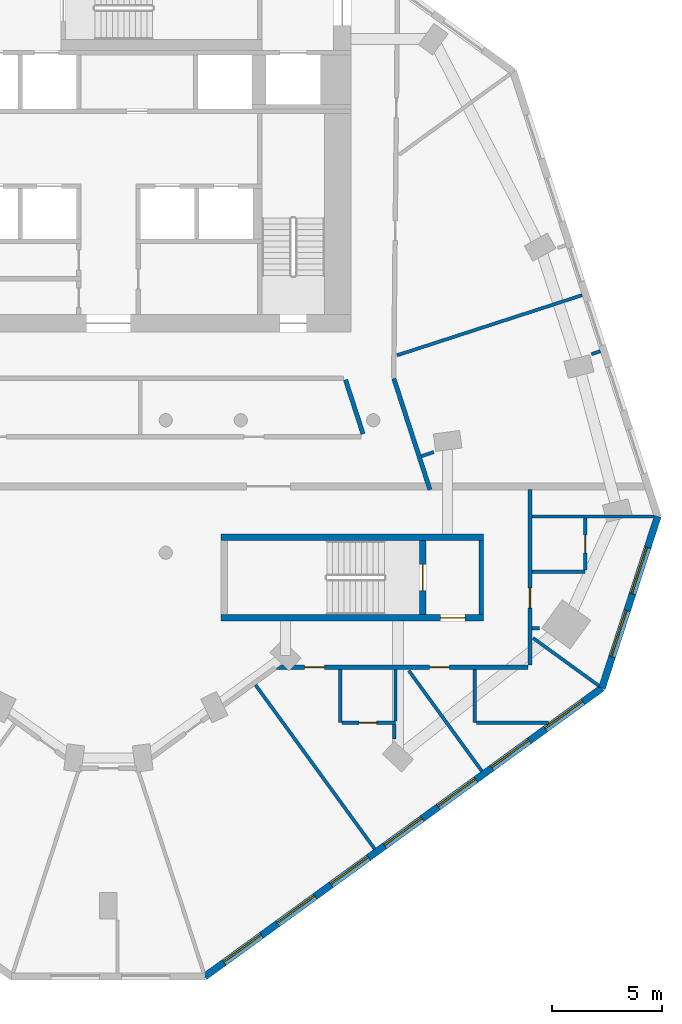
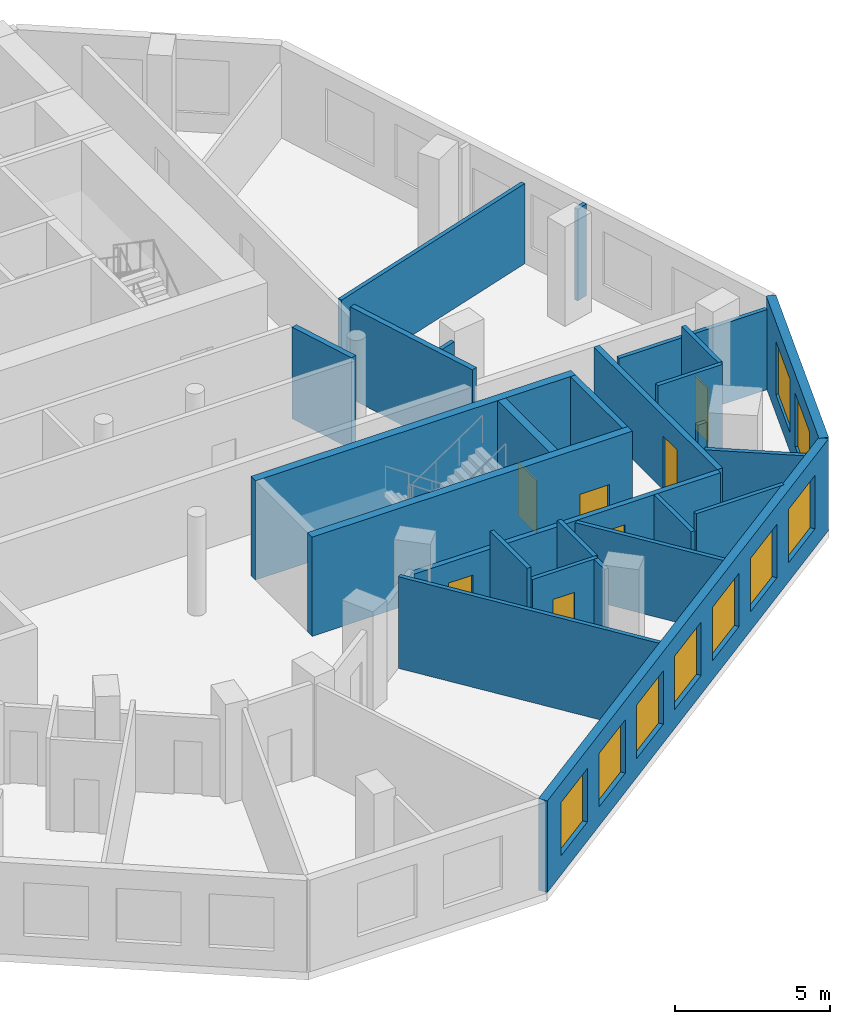
# One storey, part 4 of 9: 26 walls, 9 windows, 7 doors, 16 openings.
"""IFC4 building model written with IfcOpenShell, lengths in metres."""

from ifc_helpers import new_model, si_unit, direction, frame, frame_2d, origin, place, context, subcontext, project, spatial, rectangle, extrude, material, layer, layer_set, type_object, element, fill, save


model = new_model("IFC4")

# Units and contexts
model_context = context("Model", 3, precision=1e-05, world=origin(), true_north=direction((0.0, 1.0)))
body_context = subcontext(model_context, "Body", "Model", "MODEL_VIEW")
ifc_project = project(units=[si_unit("LENGTHUNIT", "METRE"), si_unit("AREAUNIT", "SQUARE_METRE"), si_unit("VOLUMEUNIT", "CUBIC_METRE"), si_unit("PLANEANGLEUNIT", "RADIAN"), si_unit("MASSUNIT", "GRAM", prefix="KILO")], contexts=[model_context])

# Site, building, storey
site_placement = place(None, origin())
site = spatial("IfcSite", under=ifc_project, at=site_placement, CompositionType="ELEMENT")
building_placement = place(site_placement, origin())
building = spatial("IfcBuilding", under=site, at=building_placement, Name="White Candle Pilgrim Tower", CompositionType="ELEMENT")
storey_placement = place(building_placement, frame((0.0, 0.0, 200.39990234375)))
storey = spatial("IfcBuildingStorey", under=building, at=storey_placement, Name="L46", CompositionType="ELEMENT", Elevation=200.39990234375)

# Walls
ifc_material_1 = material(Name="Concrete C50/60", Category="concrete")
ifc_layer_1 = layer(ifc_material_1, 0.199951171875)
ifc_layer_set_1 = layer_set([ifc_layer_1], Name="Core wall 200 mm Concrete C50/60")
wall_type_1 = type_object("IfcWallType", Name="Core wall 200 mm Concrete C50/60", PredefinedType="SHEAR", material=ifc_layer_set_1)
wall_1_placement = place(storey_placement, frame((86.89990234375, 58.199951171875, 0.0), z_axis=(0.0, 0.0, 1.0), x_axis=(0.0, 1.0, 0.0)))
element("IfcWall", 1, at=wall_1_placement, inside=storey, type_object=wall_type_1, Name="WL-L46-C08", PredefinedType="SHEAR", context=body_context, shape_type="SweptSolid", body=[
    extrude(rectangle(XDim=3.35009765625, YDim=0.199951171875, at=frame_2d((1.675048828125, 0.0))), origin(), (0.0, 0.0, 1.0), 3.900146484375),
])
ifc_material_2 = material(Name="Gypsum board on steel studs", Category="steel")
ifc_layer_2 = layer(ifc_material_2, 0.199951171875)
ifc_layer_set_2 = layer_set([ifc_layer_2], Name="Corridor wall 200 mm EI 45")
wall_type_2 = type_object("IfcWallType", Name="Corridor wall 200 mm EI 45", PredefinedType="PARTITIONING", material=ifc_layer_set_2)
wall_2_placement = place(storey_placement, frame((82.93310546875, 68.884521484375, 0.0), z_axis=(0.0, 0.0, 1.0), x_axis=(0.309009941901, -0.951058807754, 0.0)))
element("IfcWall", 2, at=wall_2_placement, inside=storey, type_object=wall_type_2, Name="WL-L46-P005", PredefinedType="PARTITIONING", context=body_context, shape_type="SweptSolid", body=[
    extrude(rectangle(XDim=5.29345703125, YDim=0.199951171875, at=frame_2d((2.646728515625, 0.0))), origin(), (0.0, 0.0, 1.0), 3.60009765625),
])

# Wall, opening, door
wall_3_placement = place(storey_placement, frame((89.10009765625, 63.85009765625, 0.0), z_axis=(0.0, 0.0, 1.0), x_axis=(0.0, -1.0, 0.0)))
wall_3 = element("IfcWall", 3, at=wall_3_placement, inside=storey, type_object=wall_type_2, Name="WL-L46-P006", PredefinedType="PARTITIONING", context=body_context, shape_type="SweptSolid", body=[
    extrude(rectangle(XDim=7.9501953125, YDim=0.199951171875, at=frame_2d((3.97509765625, 0.0))), origin(), (0.0, 0.0, 1.0), 2.900146484375),
])
opening_1_placement = place(wall_3_placement, frame((4.461181640625, 0.0, 0.0)))
opening_1 = element("IfcOpeningElement", 4, at=opening_1_placement, cuts=wall_3, Name="Opening T14-114", PredefinedType="OPENING", context=body_context, shape_type="SweptSolid", body=[
    extrude(rectangle(XDim=0.89990234375, YDim=2.10009765625, at=frame_2d((0.449951171875, 1.050048828125))), frame((0.0, 0.10986328125, 0.0), z_axis=(0.0, -1.0, 0.0), x_axis=(1.0, 0.0, 0.0)), (0.0, 0.0, 1.0), 0.219970703125),
])
ifc_material_3 = material(Name="Steel door leaf", Category="steel")
door_type_1 = type_object("IfcDoorType", Name="Fire door 900 x 2100 EI 30", OperationType="NOTDEFINED", PredefinedType="DOOR", material=ifc_material_3)
door_1_placement = place(opening_1_placement, origin())
door_1 = element("IfcDoor", 5, at=door_1_placement, inside=storey, type_object=door_type_1, Name="Door T14-114", OperationType="SINGLE_SWING_RIGHT", OverallHeight=2.10009765625, OverallWidth=0.89990234375, PredefinedType="DOOR", context=body_context, shape_type="SweptSolid", body=[
    extrude(rectangle(XDim=0.89990234375, YDim=2.10009765625, at=frame_2d((0.449951171875, 1.050048828125))), frame((0.0, 0.02490234375, 0.0), z_axis=(0.0, -1.0, 0.0), x_axis=(1.0, 0.0, 0.0)), (0.0, 0.0, 1.0), 0.050048828125),
])
fill(opening_1, door_1)

# Wall, openings, doors
wall_4_placement = place(storey_placement, frame((89.0, 55.800048828125, 0.0), z_axis=(0.0, 0.0, 1.0), x_axis=(-1.0, 0.0, 0.0)))
wall_4 = element("IfcWall", 6, at=wall_4_placement, inside=storey, type_object=wall_type_2, Name="WL-L46-P007", PredefinedType="PARTITIONING", context=body_context, shape_type="SweptSolid", body=[
    extrude(rectangle(XDim=11.382080078125, YDim=0.199951171875, at=frame_2d((5.69091796875, 0.0))), origin(), (0.0, 0.0, 1.0), 2.900146484375),
])
opening_2_placement = place(wall_4_placement, frame((9.20361328125, 0.0, 0.0)))
opening_2 = element("IfcOpeningElement", 7, at=opening_2_placement, cuts=wall_4, Name="Opening T14-111", PredefinedType="OPENING", context=body_context, shape_type="SweptSolid", body=[
    extrude(rectangle(XDim=0.89990234375, YDim=2.10009765625, at=frame_2d((0.449951171875, 1.050048828125))), frame((0.0, 0.10986328125, 0.0), z_axis=(0.0, -1.0, 0.0), x_axis=(1.0, 0.0, 0.0)), (0.0, 0.0, 1.0), 0.219970703125),
])
opening_3_placement = place(wall_4_placement, frame((3.54638671875, 0.0, 0.0)))
opening_3 = element("IfcOpeningElement", 8, at=opening_3_placement, cuts=wall_4, Name="Opening T14-112", PredefinedType="OPENING", context=body_context, shape_type="SweptSolid", body=[
    extrude(rectangle(XDim=0.89990234375, YDim=2.10009765625, at=frame_2d((0.449951171875, 1.050048828125))), frame((0.0, 0.10986328125, 0.0), z_axis=(0.0, -1.0, 0.0), x_axis=(1.0, 0.0, 0.0)), (0.0, 0.0, 1.0), 0.219970703125),
])
door_2_placement = place(opening_2_placement, origin())
door_2 = element("IfcDoor", 9, at=door_2_placement, inside=storey, type_object=door_type_1, Name="Door T14-111", OperationType="SINGLE_SWING_LEFT", OverallHeight=2.10009765625, OverallWidth=0.89990234375, PredefinedType="DOOR", context=body_context, shape_type="SweptSolid", body=[
    extrude(rectangle(XDim=0.89990234375, YDim=2.10009765625, at=frame_2d((0.449951171875, 1.050048828125))), frame((0.0, 0.02490234375, 0.0), z_axis=(0.0, -1.0, 0.0), x_axis=(1.0, 0.0, 0.0)), (0.0, 0.0, 1.0), 0.050048828125),
])
fill(opening_2, door_2)
door_3_placement = place(opening_3_placement, origin())
door_3 = element("IfcDoor", 10, at=door_3_placement, inside=storey, type_object=door_type_1, Name="Door T14-112", OperationType="SINGLE_SWING_RIGHT", OverallHeight=2.10009765625, OverallWidth=0.89990234375, PredefinedType="DOOR", context=body_context, shape_type="SweptSolid", body=[
    extrude(rectangle(XDim=0.89990234375, YDim=2.10009765625, at=frame_2d((0.449951171875, 1.050048828125))), frame((0.0, 0.02490234375, 0.0), z_axis=(0.0, -1.0, 0.0), x_axis=(1.0, 0.0, 0.0)), (0.0, 0.0, 1.0), 0.050048828125),
])
fill(opening_3, door_3)

# Wall
wall_5_placement = place(storey_placement, frame((81.538330078125, 66.380859375, 0.0), z_axis=(0.0, 0.0, 1.0), x_axis=(-0.309053927645, 0.951044515155, 0.0)))
element("IfcWall", 11, at=wall_5_placement, inside=storey, type_object=wall_type_2, Name="WL-L46-P014", PredefinedType="PARTITIONING", context=body_context, shape_type="SweptSolid", body=[
    extrude(rectangle(XDim=2.576171875, YDim=0.199951171875, at=frame_2d((1.2880859375, 0.0))), origin(), (0.0, 0.0, 1.0), 3.60009765625),
])

# Wall, openings, windows
ifc_material_4 = material(Name="Precast concrete C40/50", Category="concrete")
ifc_layer_3 = layer(ifc_material_4, 0.320068359375)
ifc_layer_set_3 = layer_set([ifc_layer_3], Name="Facade wall EW1 precast concrete C40/50 pier wall with timber-lined reveals")
wall_type_3 = type_object("IfcWallType", Name="Facade wall EW1 precast concrete C40/50 pier wall with timber-lined reveals", PredefinedType="SOLIDWALL", material=ifc_layer_set_3)
wall_6_placement = place(storey_placement, frame((74.377685546875, 41.801025390625, 0.0), z_axis=(0.0, 0.0, 1.0), x_axis=(0.809017634756, 0.587784370883, 0.0)))
wall_6 = element("IfcWall", 12, at=wall_6_placement, inside=storey, type_object=wall_type_3, Name="Facade wall L46 SE", PredefinedType="SOLIDWALL", context=body_context, shape_type="SweptSolid", body=[
    extrude(rectangle(XDim=22.228759765625, YDim=0.320068359375, at=frame_2d((11.1142578125, 0.0))), origin(), (0.0, 0.0, 1.0), 3.60009765625),
])
opening_4_placement = place(wall_6_placement, frame((1.064208984375, 0.0, 0.75)))
opening_4 = element("IfcOpeningElement", 13, at=opening_4_placement, cuts=wall_6, Name="Opening W3", PredefinedType="OPENING", context=body_context, shape_type="SweptSolid", body=[
    extrude(rectangle(XDim=2.10009765625, YDim=2.10009765625, at=frame_2d((1.050048828125, 1.050048828125))), frame((0.0, 0.169921875, 0.0), z_axis=(0.0, -1.0, 0.0), x_axis=(1.0, 0.0, 0.0)), (0.0, 0.0, 1.0), 0.340087890625),
])
opening_5_placement = place(wall_6_placement, frame((4.064208984375, 0.0, 0.75)))
opening_5 = element("IfcOpeningElement", 14, at=opening_5_placement, cuts=wall_6, Name="Opening W3", PredefinedType="OPENING", context=body_context, shape_type="SweptSolid", body=[
    extrude(rectangle(XDim=2.10009765625, YDim=2.10009765625, at=frame_2d((1.050048828125, 1.050048828125))), frame((0.0, 0.169921875, 0.0), z_axis=(0.0, -1.0, 0.0), x_axis=(1.0, 0.0, 0.0)), (0.0, 0.0, 1.0), 0.340087890625),
])
opening_6_placement = place(wall_6_placement, frame((7.064208984375, 0.0, 0.75)))
opening_6 = element("IfcOpeningElement", 15, at=opening_6_placement, cuts=wall_6, Name="Opening W3", PredefinedType="OPENING", context=body_context, shape_type="SweptSolid", body=[
    extrude(rectangle(XDim=2.10009765625, YDim=2.10009765625, at=frame_2d((1.050048828125, 1.050048828125))), frame((0.0, 0.169921875, 0.0), z_axis=(0.0, -1.0, 0.0), x_axis=(1.0, 0.0, 0.0)), (0.0, 0.0, 1.0), 0.340087890625),
])
opening_7_placement = place(wall_6_placement, frame((10.064208984375, 0.0, 0.75)))
opening_7 = element("IfcOpeningElement", 16, at=opening_7_placement, cuts=wall_6, Name="Opening W3", PredefinedType="OPENING", context=body_context, shape_type="SweptSolid", body=[
    extrude(rectangle(XDim=2.10009765625, YDim=2.10009765625, at=frame_2d((1.050048828125, 1.050048828125))), frame((0.0, 0.169921875, 0.0), z_axis=(0.0, -1.0, 0.0), x_axis=(1.0, 0.0, 0.0)), (0.0, 0.0, 1.0), 0.340087890625),
])
opening_8_placement = place(wall_6_placement, frame((13.064208984375, 0.0, 0.75)))
opening_8 = element("IfcOpeningElement", 17, at=opening_8_placement, cuts=wall_6, Name="Opening W3", PredefinedType="OPENING", context=body_context, shape_type="SweptSolid", body=[
    extrude(rectangle(XDim=2.10009765625, YDim=2.10009765625, at=frame_2d((1.050048828125, 1.050048828125))), frame((0.0, 0.169921875, 0.0), z_axis=(0.0, -1.0, 0.0), x_axis=(1.0, 0.0, 0.0)), (0.0, 0.0, 1.0), 0.340087890625),
])
opening_9_placement = place(wall_6_placement, frame((16.064208984375, 0.0, 0.75)))
opening_9 = element("IfcOpeningElement", 18, at=opening_9_placement, cuts=wall_6, Name="Opening W3", PredefinedType="OPENING", context=body_context, shape_type="SweptSolid", body=[
    extrude(rectangle(XDim=2.10009765625, YDim=2.10009765625, at=frame_2d((1.050048828125, 1.050048828125))), frame((0.0, 0.169921875, 0.0), z_axis=(0.0, -1.0, 0.0), x_axis=(1.0, 0.0, 0.0)), (0.0, 0.0, 1.0), 0.340087890625),
])
opening_10_placement = place(wall_6_placement, frame((19.064208984375, 0.0, 0.75)))
opening_10 = element("IfcOpeningElement", 19, at=opening_10_placement, cuts=wall_6, Name="Opening W3", PredefinedType="OPENING", context=body_context, shape_type="SweptSolid", body=[
    extrude(rectangle(XDim=2.10009765625, YDim=2.10009765625, at=frame_2d((1.050048828125, 1.050048828125))), frame((0.0, 0.169921875, 0.0), z_axis=(0.0, -1.0, 0.0), x_axis=(1.0, 0.0, 0.0)), (0.0, 0.0, 1.0), 0.340087890625),
])
ifc_material_5 = material(Name="Timber frame with triple glazing", Category="wood")
window_type_1 = type_object("IfcWindowType", Name="Window W3 2100x2100 timber frame triple glazing", PartitioningType="SINGLE_PANEL", PredefinedType="WINDOW", material=ifc_material_5)
window_1_placement = place(opening_4_placement, origin())
window_1 = element("IfcWindow", 20, at=window_1_placement, inside=storey, type_object=window_type_1, Name="Window W3 L46 SE 1", OverallHeight=2.10009765625, OverallWidth=2.10009765625, PartitioningType="SINGLE_PANEL", PredefinedType="WINDOW", context=body_context, shape_type="SweptSolid", body=[
    extrude(rectangle(XDim=2.10009765625, YDim=2.10009765625, at=frame_2d((1.050048828125, 1.050048828125))), frame((0.0, 0.070068359375, 0.0), z_axis=(0.0, -1.0, 0.0), x_axis=(1.0, 0.0, 0.0)), (0.0, 0.0, 1.0), 0.06005859375),
])
fill(opening_4, window_1)
window_2_placement = place(opening_5_placement, origin())
window_2 = element("IfcWindow", 21, at=window_2_placement, inside=storey, type_object=window_type_1, Name="Window W3 L46 SE 2", OverallHeight=2.10009765625, OverallWidth=2.10009765625, PartitioningType="SINGLE_PANEL", PredefinedType="WINDOW", context=body_context, shape_type="SweptSolid", body=[
    extrude(rectangle(XDim=2.10009765625, YDim=2.10009765625, at=frame_2d((1.050048828125, 1.050048828125))), frame((0.0, 0.070068359375, 0.0), z_axis=(0.0, -1.0, 0.0), x_axis=(1.0, 0.0, 0.0)), (0.0, 0.0, 1.0), 0.06005859375),
])
fill(opening_5, window_2)
window_3_placement = place(opening_6_placement, origin())
window_3 = element("IfcWindow", 22, at=window_3_placement, inside=storey, type_object=window_type_1, Name="Window W3 L46 SE 3", OverallHeight=2.10009765625, OverallWidth=2.10009765625, PartitioningType="SINGLE_PANEL", PredefinedType="WINDOW", context=body_context, shape_type="SweptSolid", body=[
    extrude(rectangle(XDim=2.10009765625, YDim=2.10009765625, at=frame_2d((1.050048828125, 1.050048828125))), frame((0.0, 0.070068359375, 0.0), z_axis=(0.0, -1.0, 0.0), x_axis=(1.0, 0.0, 0.0)), (0.0, 0.0, 1.0), 0.06005859375),
])
fill(opening_6, window_3)
window_4_placement = place(opening_7_placement, origin())
window_4 = element("IfcWindow", 23, at=window_4_placement, inside=storey, type_object=window_type_1, Name="Window W3 L46 SE 4", OverallHeight=2.10009765625, OverallWidth=2.10009765625, PartitioningType="SINGLE_PANEL", PredefinedType="WINDOW", context=body_context, shape_type="SweptSolid", body=[
    extrude(rectangle(XDim=2.10009765625, YDim=2.10009765625, at=frame_2d((1.050048828125, 1.050048828125))), frame((0.0, 0.070068359375, 0.0), z_axis=(0.0, -1.0, 0.0), x_axis=(1.0, 0.0, 0.0)), (0.0, 0.0, 1.0), 0.06005859375),
])
fill(opening_7, window_4)
window_5_placement = place(opening_8_placement, origin())
window_5 = element("IfcWindow", 24, at=window_5_placement, inside=storey, type_object=window_type_1, Name="Window W3 L46 SE 5", OverallHeight=2.10009765625, OverallWidth=2.10009765625, PartitioningType="SINGLE_PANEL", PredefinedType="WINDOW", context=body_context, shape_type="SweptSolid", body=[
    extrude(rectangle(XDim=2.10009765625, YDim=2.10009765625, at=frame_2d((1.050048828125, 1.050048828125))), frame((0.0, 0.070068359375, 0.0), z_axis=(0.0, -1.0, 0.0), x_axis=(1.0, 0.0, 0.0)), (0.0, 0.0, 1.0), 0.06005859375),
])
fill(opening_8, window_5)
window_6_placement = place(opening_9_placement, origin())
window_6 = element("IfcWindow", 25, at=window_6_placement, inside=storey, type_object=window_type_1, Name="Window W3 L46 SE 6", OverallHeight=2.10009765625, OverallWidth=2.10009765625, PartitioningType="SINGLE_PANEL", PredefinedType="WINDOW", context=body_context, shape_type="SweptSolid", body=[
    extrude(rectangle(XDim=2.10009765625, YDim=2.10009765625, at=frame_2d((1.050048828125, 1.050048828125))), frame((0.0, 0.070068359375, 0.0), z_axis=(0.0, -1.0, 0.0), x_axis=(1.0, 0.0, 0.0)), (0.0, 0.0, 1.0), 0.06005859375),
])
fill(opening_9, window_6)
window_7_placement = place(opening_10_placement, origin())
window_7 = element("IfcWindow", 26, at=window_7_placement, inside=storey, type_object=window_type_1, Name="Window W3 L46 SE 7", OverallHeight=2.10009765625, OverallWidth=2.10009765625, PartitioningType="SINGLE_PANEL", PredefinedType="WINDOW", context=body_context, shape_type="SweptSolid", body=[
    extrude(rectangle(XDim=2.10009765625, YDim=2.10009765625, at=frame_2d((1.050048828125, 1.050048828125))), frame((0.0, 0.070068359375, 0.0), z_axis=(0.0, -1.0, 0.0), x_axis=(1.0, 0.0, 0.0)), (0.0, 0.0, 1.0), 0.06005859375),
])
fill(opening_10, window_7)

wall_7_placement = place(storey_placement, frame((92.361083984375, 54.86669921875, 0.0), z_axis=(0.0, 0.0, 1.0), x_axis=(0.309006387978, 0.951059962457, 0.0)))
wall_7 = element("IfcWall", 27, at=wall_7_placement, inside=storey, type_object=wall_type_3, Name="Facade wall L46 E chamfer", PredefinedType="SOLIDWALL", context=body_context, shape_type="SweptSolid", body=[
    extrude(rectangle(XDim=8.175048828125, YDim=0.320068359375, at=frame_2d((4.08740234375, 0.0))), origin(), (0.0, 0.0, 1.0), 3.60009765625),
])
opening_11_placement = place(wall_7_placement, frame((1.487548828125, 0.0, 0.75)))
opening_11 = element("IfcOpeningElement", 28, at=opening_11_placement, cuts=wall_7, Name="Opening W4", PredefinedType="OPENING", context=body_context, shape_type="SweptSolid", body=[
    extrude(rectangle(XDim=2.199951171875, YDim=2.10009765625, at=frame_2d((1.10009765625, 1.050048828125))), frame((0.0, 0.169921875, 0.0), z_axis=(0.0, -1.0, 0.0), x_axis=(1.0, 0.0, 0.0)), (0.0, 0.0, 1.0), 0.340087890625),
])
opening_12_placement = place(wall_7_placement, frame((4.487548828125, 0.0, 0.75)))
opening_12 = element("IfcOpeningElement", 29, at=opening_12_placement, cuts=wall_7, Name="Opening W4", PredefinedType="OPENING", context=body_context, shape_type="SweptSolid", body=[
    extrude(rectangle(XDim=2.199951171875, YDim=2.10009765625, at=frame_2d((1.10009765625, 1.050048828125))), frame((0.0, 0.169921875, 0.0), z_axis=(0.0, -1.0, 0.0), x_axis=(1.0, 0.0, 0.0)), (0.0, 0.0, 1.0), 0.340087890625),
])
window_type_2 = type_object("IfcWindowType", Name="Window W4 2200x2100 timber frame triple glazing", PartitioningType="SINGLE_PANEL", PredefinedType="WINDOW", material=ifc_material_5)
window_8_placement = place(opening_11_placement, origin())
window_8 = element("IfcWindow", 30, at=window_8_placement, inside=storey, type_object=window_type_2, Name="Window W4 L46 E chamfer 1", OverallHeight=2.10009765625, OverallWidth=2.199951171875, PartitioningType="SINGLE_PANEL", PredefinedType="WINDOW", context=body_context, shape_type="SweptSolid", body=[
    extrude(rectangle(XDim=2.199951171875, YDim=2.10009765625, at=frame_2d((1.10009765625, 1.050048828125))), frame((0.0, 0.070068359375, 0.0), z_axis=(0.0, -1.0, 0.0), x_axis=(1.0, 0.0, 0.0)), (0.0, 0.0, 1.0), 0.06005859375),
])
fill(opening_11, window_8)
window_9_placement = place(opening_12_placement, origin())
window_9 = element("IfcWindow", 31, at=window_9_placement, inside=storey, type_object=window_type_2, Name="Window W4 L46 E chamfer 2", OverallHeight=2.10009765625, OverallWidth=2.199951171875, PartitioningType="SINGLE_PANEL", PredefinedType="WINDOW", context=body_context, shape_type="SweptSolid", body=[
    extrude(rectangle(XDim=2.199951171875, YDim=2.10009765625, at=frame_2d((1.10009765625, 1.050048828125))), frame((0.0, 0.070068359375, 0.0), z_axis=(0.0, -1.0, 0.0), x_axis=(1.0, 0.0, 0.0)), (0.0, 0.0, 1.0), 0.06005859375),
])
fill(opening_12, window_9)

# Walls
ifc_layer_4 = layer(ifc_material_2, 0.14990234375)
ifc_layer_set_4 = layer_set([ifc_layer_4], Name="Partition 150 mm EI 60")
wall_type_4 = type_object("IfcWallType", Name="Partition 150 mm EI 60", PredefinedType="PARTITIONING", material=ifc_layer_set_4)
wall_8_placement = place(storey_placement, frame((92.224853515625, 54.965576171875, 0.0), z_axis=(0.0, 0.0, 1.0), x_axis=(-0.809028266422, 0.587769737338, 0.0)))
element("IfcWall", 32, at=wall_8_placement, inside=storey, type_object=wall_type_4, Name="WL-L46-P022", PredefinedType="PARTITIONING", context=body_context, shape_type="SweptSolid", body=[
    extrude(rectangle(XDim=3.684326171875, YDim=0.14990234375, at=frame_2d((1.84228515625, 0.0))), origin(), (0.0, 0.0, 1.0), 2.900146484375),
])
wall_9_placement = place(storey_placement, frame((94.718994140625, 62.6416015625, 0.0), z_axis=(0.0, 0.0, 1.0), x_axis=(-1.0, 0.0, 0.0)))
element("IfcWall", 33, at=wall_9_placement, inside=storey, type_object=wall_type_4, Name="WL-L46-P023", PredefinedType="PARTITIONING", context=body_context, shape_type="SweptSolid", body=[
    extrude(rectangle(XDim=5.51904296875, YDim=0.14990234375, at=frame_2d((2.759521484375, 0.0))), origin(), (0.0, 0.0, 1.0), 3.150146484375),
])
wall_10_placement = place(storey_placement, frame((82.061767578125, 47.58154296875, 0.0), z_axis=(0.0, 0.0, 1.0), x_axis=(-0.587777877013, 0.809022352778, 0.0)))
element("IfcWall", 34, at=wall_10_placement, inside=storey, type_object=wall_type_4, Name="WL-L46-P033", PredefinedType="PARTITIONING", context=body_context, shape_type="SweptSolid", body=[
    extrude(rectangle(XDim=9.179931640625, YDim=0.14990234375, at=frame_2d((4.58984375, 0.0))), origin(), (0.0, 0.0, 1.0), 3.60009765625),
])
wall_11_placement = place(storey_placement, frame((86.916015625, 51.1083984375, 0.0), z_axis=(0.0, 0.0, 1.0), x_axis=(-0.587804932614, 0.809002695419, 0.0)))
element("IfcWall", 35, at=wall_11_placement, inside=storey, type_object=wall_type_4, Name="WL-L46-P034", PredefinedType="PARTITIONING", context=body_context, shape_type="SweptSolid", body=[
    extrude(rectangle(XDim=5.621337890625, YDim=0.14990234375, at=frame_2d((2.810546875, 0.0))), origin(), (0.0, 0.0, 1.0), 2.900146484375),
])
wall_12_placement = place(storey_placement, frame((80.507080078125, 55.699951171875, 0.0), z_axis=(0.0, 0.0, 1.0), x_axis=(0.0, -1.0, 0.0)))
element("IfcWall", 36, at=wall_12_placement, inside=storey, type_object=wall_type_4, Name="WL-L46-P035", PredefinedType="PARTITIONING", context=body_context, shape_type="SweptSolid", body=[
    extrude(rectangle(XDim=2.39990234375, YDim=0.14990234375, at=frame_2d((1.199951171875, 0.0))), origin(), (0.0, 0.0, 1.0), 3.60009765625),
])

# Wall, opening, door
wall_13_placement = place(storey_placement, frame((83.007080078125, 53.300048828125, 0.0), z_axis=(0.0, 0.0, 1.0), x_axis=(-1.0, 0.0, 0.0)))
wall_13 = element("IfcWall", 37, at=wall_13_placement, inside=storey, type_object=wall_type_4, Name="WL-L46-P036", PredefinedType="PARTITIONING", context=body_context, shape_type="SweptSolid", body=[
    extrude(rectangle(XDim=2.4248046875, YDim=0.14990234375, at=frame_2d((1.21240234375, 0.0))), origin(), (0.0, 0.0, 1.0), 3.150146484375),
])
opening_13_placement = place(wall_13_placement, frame((0.85009765625, 0.0, 0.0)))
opening_13 = element("IfcOpeningElement", 38, at=opening_13_placement, cuts=wall_13, Name="Opening T14-110", PredefinedType="OPENING", context=body_context, shape_type="SweptSolid", body=[
    extrude(rectangle(XDim=0.800048828125, YDim=2.10009765625, at=frame_2d((0.39990234375, 1.050048828125))), frame((0.0, 0.0849609375, 0.0), z_axis=(0.0, -1.0, 0.0), x_axis=(1.0, 0.0, 0.0)), (0.0, 0.0, 1.0), 0.169921875),
])
door_type_2 = type_object("IfcDoorType", Name="Fire door 800 x 2100 EI 30", OperationType="NOTDEFINED", PredefinedType="DOOR", material=ifc_material_3)
door_4_placement = place(opening_13_placement, origin())
door_4 = element("IfcDoor", 39, at=door_4_placement, inside=storey, type_object=door_type_2, Name="Door T14-110", OperationType="SINGLE_SWING_RIGHT", OverallHeight=2.10009765625, OverallWidth=0.800048828125, PredefinedType="DOOR", context=body_context, shape_type="SweptSolid", body=[
    extrude(rectangle(XDim=0.800048828125, YDim=2.10009765625, at=frame_2d((0.39990234375, 1.050048828125))), frame((0.0, 0.02490234375, 0.0), z_axis=(0.0, -1.0, 0.0), x_axis=(1.0, 0.0, 0.0)), (0.0, 0.0, 1.0), 0.050048828125),
])
fill(opening_13, door_4)

# Walls
wall_14_placement = place(storey_placement, frame((83.007080078125, 55.699951171875, 0.0), z_axis=(0.0, 0.0, 1.0), x_axis=(0.0, -1.0, 0.0)))
element("IfcWall", 40, at=wall_14_placement, inside=storey, type_object=wall_type_4, Name="WL-L46-P037", PredefinedType="PARTITIONING", context=body_context, shape_type="SweptSolid", body=[
    extrude(rectangle(XDim=2.324951171875, YDim=0.14990234375, at=frame_2d((1.16259765625, 0.0))), origin(), (0.0, 0.0, 1.0), 3.150146484375),
])
wall_15_placement = place(storey_placement, frame((86.60009765625, 55.699951171875, 0.0), z_axis=(0.0, 0.0, 1.0), x_axis=(0.0, -1.0, 0.0)))
element("IfcWall", 41, at=wall_15_placement, inside=storey, type_object=wall_type_4, Name="WL-L46-P038", PredefinedType="PARTITIONING", context=body_context, shape_type="SweptSolid", body=[
    extrude(rectangle(XDim=2.39990234375, YDim=0.14990234375, at=frame_2d((1.199951171875, 0.0))), origin(), (0.0, 0.0, 1.0), 2.900146484375),
])
wall_16_placement = place(storey_placement, frame((89.9326171875, 53.300048828125, 0.0), z_axis=(0.0, 0.0, 1.0), x_axis=(-1.0, 0.0, 0.0)))
element("IfcWall", 42, at=wall_16_placement, inside=storey, type_object=wall_type_4, Name="WL-L46-P039", PredefinedType="PARTITIONING", context=body_context, shape_type="SweptSolid", body=[
    extrude(rectangle(XDim=3.257568359375, YDim=0.14990234375, at=frame_2d((1.62890625, 0.0))), origin(), (0.0, 0.0, 1.0), 3.60009765625),
])
wall_17_placement = place(storey_placement, frame((89.199951171875, 60.1416015625, 0.0), z_axis=(0.0, 0.0, 1.0), x_axis=(1.0, 0.0, 0.0)))
element("IfcWall", 43, at=wall_17_placement, inside=storey, type_object=wall_type_4, Name="WL-L46-P040", PredefinedType="PARTITIONING", context=body_context, shape_type="SweptSolid", body=[
    extrude(rectangle(XDim=2.400146484375, YDim=0.14990234375, at=frame_2d((1.2001953125, 0.0))), origin(), (0.0, 0.0, 1.0), 3.60009765625),
])

# Wall, opening, door
wall_18_placement = place(storey_placement, frame((91.60009765625, 62.566650390625, 0.0), z_axis=(0.0, 0.0, 1.0), x_axis=(0.0, -1.0, 0.0)))
wall_18 = element("IfcWall", 44, at=wall_18_placement, inside=storey, type_object=wall_type_4, Name="WL-L46-P041", PredefinedType="PARTITIONING", context=body_context, shape_type="SweptSolid", body=[
    extrude(rectangle(XDim=2.35009765625, YDim=0.14990234375, at=frame_2d((1.175048828125, 0.0))), origin(), (0.0, 0.0, 1.0), 3.60009765625),
])
opening_14_placement = place(wall_18_placement, frame((0.77490234375, 0.0, 0.0)))
opening_14 = element("IfcOpeningElement", 45, at=opening_14_placement, cuts=wall_18, Name="Opening T14-113", PredefinedType="OPENING", context=body_context, shape_type="SweptSolid", body=[
    extrude(rectangle(XDim=0.800048828125, YDim=2.10009765625, at=frame_2d((0.39990234375, 1.050048828125))), frame((0.0, 0.0849609375, 0.0), z_axis=(0.0, -1.0, 0.0), x_axis=(1.0, 0.0, 0.0)), (0.0, 0.0, 1.0), 0.169921875),
])
door_5_placement = place(opening_14_placement, origin())
door_5 = element("IfcDoor", 46, at=door_5_placement, inside=storey, type_object=door_type_2, Name="Door T14-113", OperationType="SINGLE_SWING_LEFT", OverallHeight=2.10009765625, OverallWidth=0.800048828125, PredefinedType="DOOR", context=body_context, shape_type="SweptSolid", body=[
    extrude(rectangle(XDim=0.800048828125, YDim=2.10009765625, at=frame_2d((0.39990234375, 1.050048828125))), frame((0.0, 0.02490234375, 0.0), z_axis=(0.0, -1.0, 0.0), x_axis=(1.0, 0.0, 0.0)), (0.0, 0.0, 1.0), 0.050048828125),
])
fill(opening_14, door_5)

# Walls
wall_19_placement = place(storey_placement, frame((91.46240234375, 72.6640625, 0.0), z_axis=(0.0, 0.0, 1.0), x_axis=(-0.951054829907, -0.309022184495, 0.0)))
element("IfcWall", 47, at=wall_19_placement, inside=storey, type_object=wall_type_4, Name="WL-L46-P042", PredefinedType="PARTITIONING", context=body_context, shape_type="SweptSolid", body=[
    extrude(rectangle(XDim=8.813720703125, YDim=0.14990234375, at=frame_2d((4.40673828125, 0.0))), origin(), (0.0, 0.0, 1.0), 3.150146484375),
])
wall_20_placement = place(storey_placement, frame((82.951416015625, 52.5517578125, 0.0), z_axis=(0.0, 0.0, 1.0), x_axis=(0.0, 1.0, 0.0)))
element("IfcWall", 48, at=wall_20_placement, inside=storey, type_object=wall_type_4, Name="WL-L46-P047", PredefinedType="PARTITIONING", context=body_context, shape_type="SweptSolid", body=[
    extrude(rectangle(XDim=0.67333984375, YDim=0.14990234375, at=frame_2d((0.336669921875, 0.0))), origin(), (0.0, 0.0, 1.0), 3.150146484375),
])
wall_21_placement = place(storey_placement, frame((89.53271484375, 57.57568359375, 0.0), z_axis=(0.0, 0.0, 1.0), x_axis=(-1.0, 0.0, 0.0)))
element("IfcWall", 49, at=wall_21_placement, inside=storey, type_object=wall_type_4, Name="WL-L46-P048", PredefinedType="PARTITIONING", context=body_context, shape_type="SweptSolid", body=[
    extrude(rectangle(XDim=0.332763671875, YDim=0.14990234375, at=frame_2d((0.16650390625, 0.0))), origin(), (0.0, 0.0, 1.0), 3.60009765625),
])
wall_22_placement = place(storey_placement, frame((91.887451171875, 69.995849609375, 0.0), z_axis=(0.0, 0.0, 1.0), x_axis=(0.951093789288, 0.30890225635, 0.0)))
element("IfcWall", 50, at=wall_22_placement, inside=storey, type_object=wall_type_4, Name="WL-L46-P049", PredefinedType="PARTITIONING", context=body_context, shape_type="SweptSolid", body=[
    extrude(rectangle(XDim=0.42041015625, YDim=0.14990234375, at=frame_2d((0.210205078125, 0.0))), origin(), (0.0, 0.0, 1.0), 3.60009765625),
])
wall_23_placement = place(storey_placement, frame((84.7431640625, 65.55517578125, 0.0), z_axis=(0.0, 0.0, 1.0), x_axis=(-0.9510855144, -0.308927733131, 0.0)))
element("IfcWall", 51, at=wall_23_placement, inside=storey, type_object=wall_type_4, Name="WL-L46-P053", PredefinedType="PARTITIONING", context=body_context, shape_type="SweptSolid", body=[
    extrude(rectangle(XDim=0.5927734375, YDim=0.14990234375, at=frame_2d((0.29638671875, 0.0))), origin(), (0.0, 0.0, 1.0), 3.60009765625),
])

# Wall, opening, door
ifc_layer_5 = layer(ifc_material_1, 0.300048828125)
ifc_layer_set_5 = layer_set([ifc_layer_5], Name="Stair shaft wall 300 mm Concrete C50/60")
wall_type_5 = type_object("IfcWallType", Name="Stair shaft wall 300 mm Concrete C50/60", PredefinedType="SHEAR", material=ifc_layer_set_5)
wall_24_placement = place(storey_placement, frame((75.10009765625, 58.050048828125, 0.0), z_axis=(0.0, 0.0, 1.0), x_axis=(1.0, 0.0, 0.0)))
wall_24 = element("IfcWall", 52, at=wall_24_placement, inside=storey, type_object=wall_type_5, Name="WL-L46-C02", PredefinedType="SHEAR", context=body_context, shape_type="SweptSolid", body=[
    extrude(rectangle(XDim=11.89990234375, YDim=0.300048828125, at=frame_2d((5.949951171875, 0.0))), origin(), (0.0, 0.0, 1.0), 3.900146484375),
])
opening_15_placement = place(wall_24_placement, frame((9.949951171875, 0.0, 0.0)))
opening_15 = element("IfcOpeningElement", 53, at=opening_15_placement, cuts=wall_24, Name="Opening T14-012", PredefinedType="OPENING", context=body_context, shape_type="SweptSolid", body=[
    extrude(rectangle(XDim=1.10009765625, YDim=2.10009765625, at=frame_2d((0.550048828125, 1.050048828125))), frame((0.0, 0.159912109375, 0.0), z_axis=(0.0, -1.0, 0.0), x_axis=(1.0, 0.0, 0.0)), (0.0, 0.0, 1.0), 0.320068359375),
])
door_type_3 = type_object("IfcDoorType", Name="Fire door 1100 x 2100 EI 60", OperationType="NOTDEFINED", PredefinedType="DOOR", material=ifc_material_3)
door_6_placement = place(opening_15_placement, origin())
door_6 = element("IfcDoor", 54, at=door_6_placement, inside=storey, type_object=door_type_3, Name="Door T14-012", OperationType="SINGLE_SWING_RIGHT", OverallHeight=2.10009765625, OverallWidth=1.10009765625, PredefinedType="DOOR", context=body_context, shape_type="SweptSolid", body=[
    extrude(rectangle(XDim=1.10009765625, YDim=2.10009765625, at=frame_2d((0.550048828125, 1.050048828125))), frame((0.0, 0.02490234375, 0.0), z_axis=(0.0, -1.0, 0.0), x_axis=(1.0, 0.0, 0.0)), (0.0, 0.0, 1.0), 0.050048828125),
])
fill(opening_15, door_6)

wall_25_placement = place(storey_placement, frame((84.25, 58.199951171875, 0.0), z_axis=(0.0, 0.0, 1.0), x_axis=(0.0, 1.0, 0.0)))
wall_25 = element("IfcWall", 55, at=wall_25_placement, inside=storey, type_object=wall_type_5, Name="WL-L46-C07", PredefinedType="SHEAR", context=body_context, shape_type="SweptSolid", body=[
    extrude(rectangle(XDim=3.35009765625, YDim=0.300048828125, at=frame_2d((1.675048828125, 0.0))), origin(), (0.0, 0.0, 1.0), 3.900146484375),
])
opening_16_placement = place(wall_25_placement, frame((1.074951171875, 0.0, 0.0)))
opening_16 = element("IfcOpeningElement", 56, at=opening_16_placement, cuts=wall_25, Name="Opening T14-013", PredefinedType="OPENING", context=body_context, shape_type="SweptSolid", body=[
    extrude(rectangle(XDim=1.199951171875, YDim=2.10009765625, at=frame_2d((0.60009765625, 1.050048828125))), frame((0.0, 0.159912109375, 0.0), z_axis=(0.0, -1.0, 0.0), x_axis=(1.0, 0.0, 0.0)), (0.0, 0.0, 1.0), 0.320068359375),
])
door_type_4 = type_object("IfcDoorType", Name="Fire door 1200 x 2100 EI 60", OperationType="NOTDEFINED", PredefinedType="DOOR", material=ifc_material_3)
door_7_placement = place(opening_16_placement, origin())
door_7 = element("IfcDoor", 57, at=door_7_placement, inside=storey, type_object=door_type_4, Name="Door T14-013", OperationType="SINGLE_SWING_LEFT", OverallHeight=2.10009765625, OverallWidth=1.199951171875, PredefinedType="DOOR", context=body_context, shape_type="SweptSolid", body=[
    extrude(rectangle(XDim=1.199951171875, YDim=2.10009765625, at=frame_2d((0.60009765625, 1.050048828125))), frame((0.0, 0.02490234375, 0.0), z_axis=(0.0, -1.0, 0.0), x_axis=(1.0, 0.0, 0.0)), (0.0, 0.0, 1.0), 0.050048828125),
])
fill(opening_16, door_7)

# Wall
wall_26_placement = place(storey_placement, frame((75.10009765625, 61.699951171875, 0.0), z_axis=(0.0, 0.0, 1.0), x_axis=(1.0, 0.0, 0.0)))
element("IfcWall", 58, at=wall_26_placement, inside=storey, type_object=wall_type_5, Name="WL-L46-C10", PredefinedType="SHEAR", context=body_context, shape_type="SweptSolid", body=[
    extrude(rectangle(XDim=11.89990234375, YDim=0.300048828125, at=frame_2d((5.949951171875, 0.0))), origin(), (0.0, 0.0, 1.0), 3.900146484375),
])

save(model, "model.ifc")
